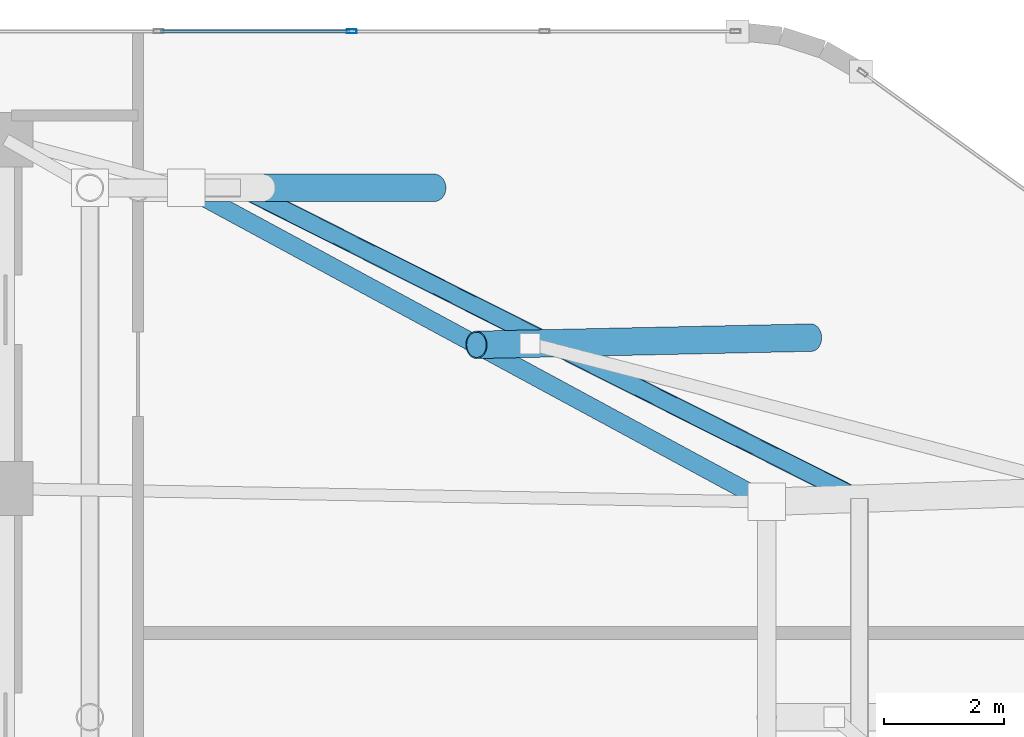
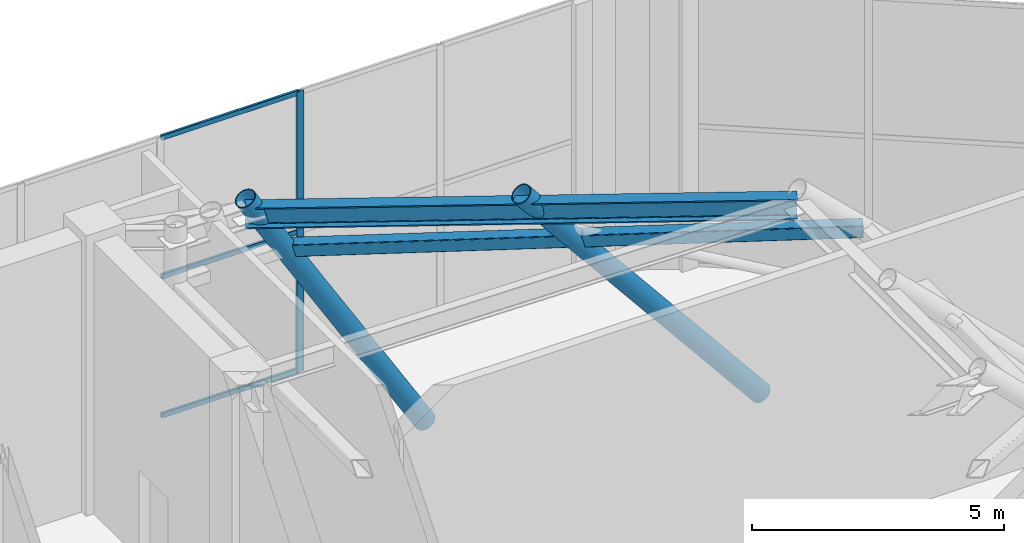
# One storey, part 15 of 23: 7 members, 1 beam, 1 element without a shape of its own.
"""IFC4 building model written with IfcOpenShell, lengths in metres."""

from ifc_helpers import new_model, si_unit, direction, frame, origin, origin_2d, place, context, subcontext, project, spatial, hollow_rectangle, hollow_circle, i_section, extrude, material, layer, layer_set, material_profile, profile_set, type_object, element, aggregate, save


model = new_model("IFC4")

# Units and contexts
model_context = context("Model", 3, precision=1e-05, world=origin(), true_north=direction((0.0, 1.0)))
body_context = subcontext(model_context, "Body", "Model", "MODEL_VIEW")
ifc_project = project(units=[si_unit("LENGTHUNIT", "METRE"), si_unit("AREAUNIT", "SQUARE_METRE"), si_unit("VOLUMEUNIT", "CUBIC_METRE"), si_unit("PLANEANGLEUNIT", "RADIAN"), si_unit("MASSUNIT", "GRAM", prefix="KILO")], contexts=[model_context])

# Site, building, storey
site_placement = place(None, origin())
site = spatial("IfcSite", under=ifc_project, at=site_placement, CompositionType="ELEMENT")
building_placement = place(site_placement, origin())
building = spatial("IfcBuilding", under=site, at=building_placement, Name="An Khanh Terracotta Commons", CompositionType="ELEMENT")
storey_placement = place(building_placement, frame((0.0, 0.0, 322.0)))
storey = spatial("IfcBuildingStorey", under=building, at=storey_placement, Name="L81 Crown Heat-Recovery Plant", CompositionType="ELEMENT", Elevation=322.0)

# Beam
ifc_material_1 = material(Name="Steel S355J2", Category="steel")
ifc_material_profile_1 = material_profile(ifc_material_1, i_section(OverallWidth=0.300048828125, OverallDepth=0.5, WebThickness=0.014404296875, FlangeThickness=0.028076171875, FilletRadius=0.027099609375, at=origin_2d()), Name="HEB500")
ifc_profile_set_1 = profile_set([ifc_material_profile_1], Name="Steel S355J2")
beam_type = type_object("IfcBeamType", Name="BM-HEB500", PredefinedType="BEAM", material=ifc_profile_set_1)
beam_placement = place(storey_placement, frame((49.85009765625, 27.580078125, 6.330078125), z_axis=(-0.87956634506, 0.475776254806, 0.0), x_axis=(-0.475776254806, -0.87956634506, 0.0)))
element("IfcBeam", 1, at=beam_placement, inside=storey, type_object=beam_type, Name="L81 Crown Heat-Recovery Plant CROWN FRAME Ring Beam 4", PredefinedType="BEAM", context=body_context, shape_type="SweptSolid", body=[
    extrude(i_section(OverallWidth=0.300048828125, OverallDepth=0.5, WebThickness=0.014404296875, FlangeThickness=0.028076171875, FilletRadius=0.027099609375, at=origin_2d()), origin(), (0.0, 0.0, 1.0), 10.971435546875),
])

# Members
ifc_material_2 = material(Name="Steel S460ML", Category="steel")
ifc_material_profile_2 = material_profile(ifc_material_2, hollow_circle(Radius=0.228515625, WallThickness=0.02001953125, at=origin_2d()), Name="CHS457x20")
ifc_profile_set_2 = profile_set([ifc_material_profile_2], Name="Steel S460ML")
member_type_1 = type_object("IfcMemberType", Name="CROWN FRAME RIB CHS457", PredefinedType="STRUT", material=ifc_profile_set_2)
member_1_placement = place(storey_placement, frame((50.5859375, 30.31005859375, -0.1201171875), z_axis=(-0.630770718879, -0.013624514606, 0.775849645747), x_axis=(0.021594752332, -0.999766806146, 0.0)))
element("IfcMember", 2, at=member_1_placement, inside=storey, type_object=member_type_1, Name="L81 Crown Heat-Recovery Plant CROWN FRAME Facet Strut 4", PredefinedType="STRUT", context=body_context, shape_type="SweptSolid", body=[
    extrude(hollow_circle(Radius=0.228515625, WallThickness=0.02001953125, at=origin_2d()), origin(), (0.0, 0.0, 1.0), 8.816162109375),
])
member_2_placement = place(storey_placement, frame((44.322021484375, 32.800048828125, -0.1201171875), z_axis=(-0.516153696241, 0.0, 0.856495978891), x_axis=(0.0, -1.0, 0.0)))
element("IfcMember", 3, at=member_2_placement, inside=storey, type_object=member_type_1, Name="L81 Crown Heat-Recovery Plant CROWN FRAME Corner Raking Rib 5", PredefinedType="STRUT", context=body_context, shape_type="SweptSolid", body=[
    extrude(hollow_circle(Radius=0.228515625, WallThickness=0.02001953125, at=origin_2d()), origin(), (0.0, 0.0, 1.0), 7.986083984375),
])
ifc_material_profile_3 = material_profile(ifc_material_2, hollow_rectangle(XDim=0.300048828125, YDim=0.300048828125, WallThickness=0.01611328125, InnerFilletRadius=0.01611328125, OuterFilletRadius=0.031982421875, at=origin_2d()), Name="SHS300x300x16")
ifc_profile_set_3 = profile_set([ifc_material_profile_3], Name="Steel S460ML")
member_type_2 = type_object("IfcMemberType", Name="CROWN FRAME RING SHS300", PredefinedType="CHORD", material=ifc_profile_set_3)
member_3_placement = place(storey_placement, frame((51.389892578125, 27.633056640625, 5.215087890625), z_axis=(-0.89353866144, 0.448986258712, 0.0), x_axis=(-0.448986258712, -0.89353866144, 0.0)))
element("IfcMember", 4, at=member_3_placement, inside=storey, type_object=member_type_2, Name="L81 Crown Heat-Recovery Plant CROWN FRAME Sill Ring Chord 4", PredefinedType="CHORD", context=body_context, shape_type="SweptSolid", body=[
    extrude(hollow_rectangle(XDim=0.300048828125, YDim=0.300048828125, WallThickness=0.01611328125, InnerFilletRadius=0.01611328125, OuterFilletRadius=0.031982421875, at=origin_2d()), origin(), (0.0, 0.0, 1.0), 11.508056640625),
])

# Curtain wall, members
ifc_material_3 = material(Name="Anodised Aluminium 6063-T6", Category="aluminium")
ifc_layer = layer(ifc_material_3, 0.18994140625, Name="Anodised Aluminium 6063-T6")
ifc_layer_set = layer_set([ifc_layer], Name="Anodised Aluminium 6063-T6")
curtain_wall_type = type_object("IfcCurtainWallType", Name="CW-SYS-06", PredefinedType="USERDEFINED", material=ifc_layer_set)
curtain_wall_placement = place(storey_placement, origin())
curtain_wall = element("IfcCurtainWall", 5, at=curtain_wall_placement, inside=storey, type_object=curtain_wall_type, Name="L81 Crown Heat-Recovery Plant CW-06 Unitised Curtain Wall CW-L81-20", ObjectType="UNITISED CURTAIN WALL", PredefinedType="USERDEFINED")
ifc_material_profile_4 = material_profile(ifc_material_3, hollow_rectangle(XDim=0.06494140625, YDim=0.1650390625, WallThickness=0.00390625, InnerFilletRadius=0.00390625, OuterFilletRadius=0.008056640625, at=origin_2d()), Name="RHS165x65x4")
ifc_profile_set_4 = profile_set([ifc_material_profile_4], Name="Anodised Aluminium 6063-T6")
member_type_3 = type_object("IfcMemberType", Name="CWM-RHS165x65x4", PredefinedType="MULLION", material=ifc_profile_set_4)
member_4_placement = place(storey_placement, frame((42.9501953125, 35.39990234375, 0.0), z_axis=(0.0, 0.0, 1.0), x_axis=(0.0, -1.0, 0.0)))
member_4 = element("IfcMember", 6, at=member_4_placement, type_object=member_type_3, Name="CW-06 mullion 3", PredefinedType="MULLION", context=body_context, shape_type="SweptSolid", body=[
    extrude(hollow_rectangle(XDim=0.06494140625, YDim=0.1650390625, WallThickness=0.00390625, InnerFilletRadius=0.00390625, OuterFilletRadius=0.008056640625, at=origin_2d()), origin(), (0.0, 0.0, 1.0), 6.800048828125),
])
ifc_material_profile_5 = material_profile(ifc_material_3, hollow_rectangle(XDim=0.06005859375, YDim=0.1201171875, WallThickness=0.003662109375, InnerFilletRadius=0.003662109375, OuterFilletRadius=0.007080078125, at=origin_2d()), Name="RHS120x60x3.6")
ifc_profile_set_5 = profile_set([ifc_material_profile_5], Name="Anodised Aluminium 6063-T6")
member_type_4 = type_object("IfcMemberType", Name="CWT-RHS120x60x3.6", PredefinedType="USERDEFINED", material=ifc_profile_set_5)
member_5_placement = place(storey_placement, frame((42.917724609375, 35.39990234375, 0.030029296875), z_axis=(-1.0, 0.0, 0.0), x_axis=(0.0, -1.0, 0.0)))
member_5 = element("IfcMember", 7, at=member_5_placement, type_object=member_type_4, Name="CW-06 transom 3.1", ObjectType="TRANSOM", PredefinedType="USERDEFINED", context=body_context, shape_type="SweptSolid", body=[
    extrude(hollow_rectangle(XDim=0.06005859375, YDim=0.1201171875, WallThickness=0.003662109375, InnerFilletRadius=0.003662109375, OuterFilletRadius=0.007080078125, at=origin_2d()), origin(), (0.0, 0.0, 1.0), 3.143310546875),
])
member_6_placement = place(storey_placement, frame((42.917724609375, 35.39990234375, 3.39990234375), z_axis=(-1.0, 0.0, 0.0), x_axis=(0.0, -1.0, 0.0)))
member_6 = element("IfcMember", 8, at=member_6_placement, type_object=member_type_4, Name="CW-06 transom 3.2", ObjectType="TRANSOM", PredefinedType="USERDEFINED", context=body_context, shape_type="SweptSolid", body=[
    extrude(hollow_rectangle(XDim=0.06005859375, YDim=0.1201171875, WallThickness=0.003662109375, InnerFilletRadius=0.003662109375, OuterFilletRadius=0.007080078125, at=origin_2d()), origin(), (0.0, 0.0, 1.0), 3.143310546875),
])
member_7_placement = place(storey_placement, frame((42.917724609375, 35.39990234375, 6.77001953125), z_axis=(-1.0, 0.0, 0.0), x_axis=(0.0, -1.0, 0.0)))
member_7 = element("IfcMember", 9, at=member_7_placement, type_object=member_type_4, Name="CW-06 transom 3.3", ObjectType="TRANSOM", PredefinedType="USERDEFINED", context=body_context, shape_type="SweptSolid", body=[
    extrude(hollow_rectangle(XDim=0.06005859375, YDim=0.1201171875, WallThickness=0.003662109375, InnerFilletRadius=0.003662109375, OuterFilletRadius=0.007080078125, at=origin_2d()), origin(), (0.0, 0.0, 1.0), 3.143310546875),
])
aggregate(curtain_wall, [member_4, member_5, member_6, member_7])

save(model, "model.ifc")
